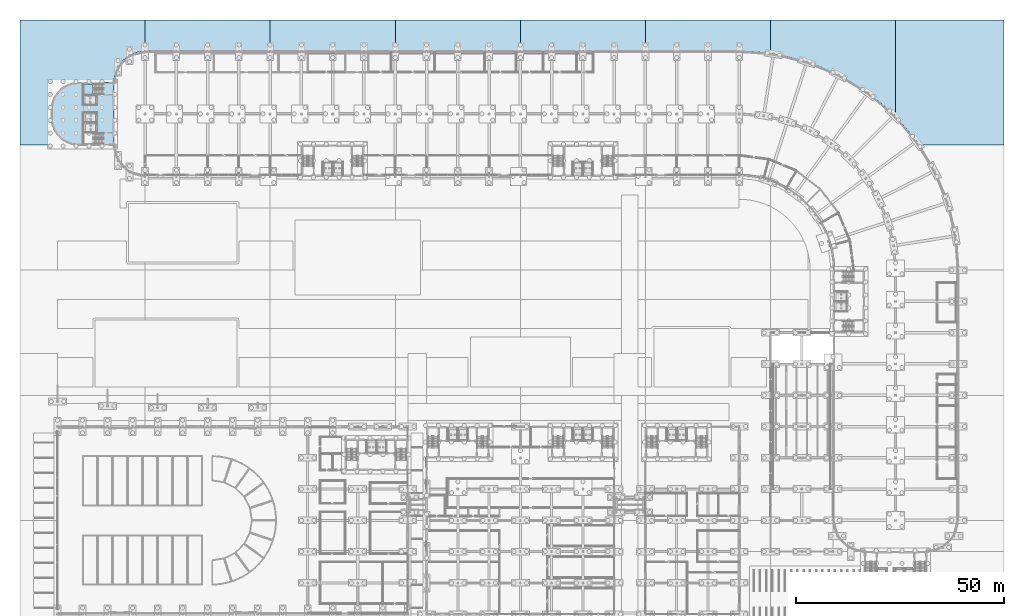
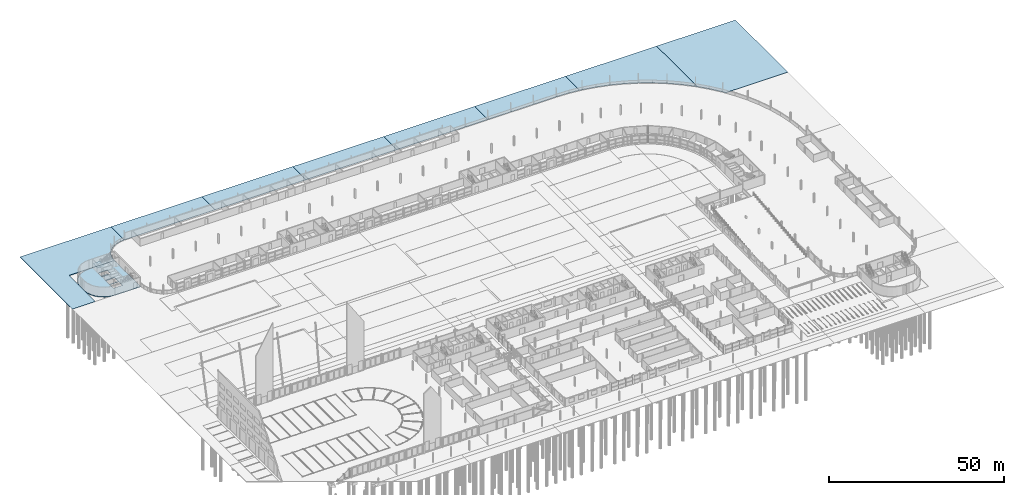
# One storey, part 75 of 130: 11 slabs, 1 element without a shape of its own.
"""IFC4 building model written with IfcOpenShell, lengths in metres."""

from ifc_helpers import new_model, si_unit, direction, frame, origin, place, context, subcontext, project, spatial, polyline, outline, extrude, material, layer, layer_set, type_object, element, aggregate, save


model = new_model("IFC4")

# Units and contexts
model_context = context("Model", 3, precision=1e-05, world=origin(), true_north=direction((0.0, 1.0)))
body_context = subcontext(model_context, "Body", "Model", "MODEL_VIEW")
ifc_project = project(units=[si_unit("LENGTHUNIT", "METRE"), si_unit("AREAUNIT", "SQUARE_METRE"), si_unit("VOLUMEUNIT", "CUBIC_METRE"), si_unit("PLANEANGLEUNIT", "RADIAN"), si_unit("MASSUNIT", "GRAM", prefix="KILO")], contexts=[model_context])

# Site, building, storey
site_placement = place(None, origin())
site = spatial("IfcSite", under=ifc_project, at=site_placement, CompositionType="ELEMENT")
building_placement = place(site_placement, origin())
building = spatial("IfcBuilding", under=site, at=building_placement, Name="Parallax Yard Mobility Hub", CompositionType="ELEMENT")
storey_placement = place(building_placement, origin())
storey = spatial("IfcBuildingStorey", under=building, at=storey_placement, Name="L00", CompositionType="ELEMENT", Elevation=0.0)

# Slab
ifc_material_1 = material(Name="Concrete fc' 28 MPa", Category="concrete")
ifc_layer_1 = layer(ifc_material_1, 0.199951171875)
ifc_layer_set_1 = layer_set([ifc_layer_1], Name="Core ground slab 200")
slab_type_1 = type_object("IfcSlabType", Name="Core ground slab 200", PredefinedType="BASESLAB", material=ifc_layer_set_1)
slab_1_placement = place(storey_placement, frame((0.0, 0.0, -0.199951171875)))
element("IfcSlab", 1, at=slab_1_placement, inside=storey, type_object=slab_type_1, Name="Core C-W ground slab", PredefinedType="BASESLAB", context=body_context, shape_type="SweptSolid", body=[
    extrude(outline(polyline([(12.5537109375, 120.1630859375), (11.1796875, 120.643798828125), (9.947265625, 121.418212890625), (8.918212890625, 122.447265625), (8.143798828125, 123.6796875), (7.6630859375, 125.0537109375), (7.5, 126.5), (7.5, 128.5), (7.6630859375, 129.9462890625), (8.143798828125, 131.3203125), (8.918212890625, 132.552734375), (9.947265625, 133.581787109375), (11.1796875, 134.356201171875), (12.5537109375, 134.8369140625), (14.0, 135.0), (22.5, 135.0), (22.5, 120.0), (14.0, 120.0), (12.5537109375, 120.1630859375)]), holes=[polyline([(18.300048828125, 123.10009765625), (18.300048828125, 125.300048828125), (15.300048828125, 125.300048828125), (15.300048828125, 123.10009765625), (18.300048828125, 123.10009765625)]), polyline([(15.300048828125, 125.5), (18.300048828125, 125.5), (18.300048828125, 127.699951171875), (15.300048828125, 127.699951171875), (15.300048828125, 125.5)]), polyline([(15.300048828125, 131.89990234375), (15.300048828125, 129.699951171875), (18.300048828125, 129.699951171875), (18.300048828125, 131.89990234375), (15.300048828125, 131.89990234375)])]), origin(), (0.0, 0.0, 1.0), 0.199951171875),
])

# Stair, slab
ifc_material_2 = material(Name="Concrete fc' 35 MPa", Category="concrete")
stair_type = type_object("IfcStairType", Name="Exit stair 1200 dog-leg", PredefinedType="HALF_TURN_STAIR", material=ifc_material_2)
stair_placement = place(storey_placement, origin())
stair = element("IfcStair", 2, at=stair_placement, inside=storey, type_object=stair_type, Name="L00 Exit stair 2 of core C-W", PredefinedType="HALF_TURN_STAIR")
ifc_layer_2 = layer(ifc_material_2, 0.199951171875)
ifc_layer_set_2 = layer_set([ifc_layer_2], Name="Exit stair landing 200")
slab_type_2 = type_object("IfcSlabType", Name="Exit stair landing 200", PredefinedType="LANDING", material=ifc_layer_set_2)
slab_2_placement = place(storey_placement, frame((0.0, 0.0, 1.449951171875)))
slab_2 = element("IfcSlab", 3, at=slab_2_placement, type_object=slab_type_2, Name="ST2 landing 1", PredefinedType="LANDING", context=body_context, shape_type="SweptSolid", body=[
    extrude(outline(polyline([(17.534912109375, 134.699951171875), (15.300048828125, 134.699951171875), (15.300048828125, 132.14990234375), (17.534912109375, 132.14990234375), (17.534912109375, 134.699951171875)])), origin(), (0.0, 0.0, 1.0), 0.199951171875),
])
aggregate(stair, [slab_2])

# Slabs
ifc_layer_3 = layer(ifc_material_1, 0.300048828125)
ifc_layer_set_3 = layer_set([ifc_layer_3], Name="Lift pit slab 300")
slab_type_3 = type_object("IfcSlabType", Name="Lift pit slab 300", PredefinedType="BASESLAB", material=ifc_layer_set_3)
slab_3_placement = place(storey_placement, frame((0.0, 0.0, -1.800048828125)))
element("IfcSlab", 4, at=slab_3_placement, inside=storey, type_object=slab_type_3, Name="Core C-W lift pit slab (shaft group 2)", PredefinedType="BASESLAB", context=body_context, shape_type="SweptSolid", body=[
    extrude(outline(polyline([(18.5, 129.5), (18.5, 132.10009765625), (15.10009765625, 132.10009765625), (15.10009765625, 129.5), (18.5, 129.5)])), origin(), (0.0, 0.0, 1.0), 0.300048828125),
])
ifc_layer_4 = layer(ifc_material_1, 0.14990234375)
ifc_layer_set_4 = layer_set([ifc_layer_4], Name="Public yard paving 150")
slab_type_4 = type_object("IfcSlabType", Name="Public yard paving 150", PredefinedType="FLOOR", material=ifc_layer_set_4)
slab_4_placement = place(storey_placement, frame((0.0, 0.0, -0.14990234375)))
element("IfcSlab", 5, at=slab_4_placement, inside=storey, type_object=slab_type_4, Name="Public yard paving panel 4", PredefinedType="FLOOR", context=body_context, shape_type="SweptSolid", body=[
    extrude(outline(polyline([(30.0, 150.0), (30.0, 142.5009765625), (30.0, 142.5009765625), (28.53662109375, 142.35693359375), (28.53662109375, 142.35693359375), (28.53662109375, 142.35693359375), (27.129638671875, 141.93017578125), (27.12939453125, 141.929931640625), (27.12939453125, 141.929931640625), (25.832763671875, 141.23681640625), (25.83251953125, 141.23681640625), (25.83251953125, 141.23681640625), (24.696044921875, 140.30419921875), (24.696044921875, 140.303955078125), (24.69580078125, 140.303955078125), (23.76318359375, 139.16748046875), (23.76318359375, 139.16748046875), (23.76318359375, 139.167236328125), (23.070068359375, 137.87060546875), (23.070068359375, 137.87060546875), (23.06982421875, 137.870361328125), (22.64306640625, 136.46337890625), (22.64306640625, 136.46337890625), (22.64306640625, 136.46337890625), (22.4990234375, 135.0), (22.4990234375, 135.0), (7.5, 135.0), (7.5, 120.0), (0.0, 120.0), (0.0, 150.0), (30.0, 150.0)])), origin(), (0.0, 0.0, 1.0), 0.14990234375),
])
slab_5_placement = place(storey_placement, frame((0.0, 0.0, -0.14990234375)))
element("IfcSlab", 6, at=slab_5_placement, inside=storey, type_object=slab_type_4, Name="Public yard paving panel 8", PredefinedType="FLOOR", context=body_context, shape_type="SweptSolid", body=[
    extrude(outline(polyline([(60.0, 150.0), (60.0, 142.5009765625), (30.0, 142.5009765625), (30.0, 150.0), (60.0, 150.0)])), origin(), (0.0, 0.0, 1.0), 0.14990234375),
])
slab_6_placement = place(storey_placement, frame((0.0, 0.0, -0.14990234375)))
element("IfcSlab", 7, at=slab_6_placement, inside=storey, type_object=slab_type_4, Name="Public yard paving panel 12", PredefinedType="FLOOR", context=body_context, shape_type="SweptSolid", body=[
    extrude(outline(polyline([(90.0, 150.0), (90.0, 142.5), (65.0009765625, 142.5), (65.0009765625, 142.5), (65.0009765625, 142.500244140625), (65.0009765625, 142.500244140625), (65.0009765625, 142.50048828125), (65.0009765625, 142.50048828125), (65.000732421875, 142.50048828125), (65.000732421875, 142.50048828125), (65.000732421875, 142.500732421875), (65.00048828125, 142.500732421875), (65.00048828125, 142.500732421875), (65.00048828125, 142.5009765625), (65.00048828125, 142.5009765625), (65.000244140625, 142.5009765625), (65.000244140625, 142.5009765625), (65.0, 142.5009765625), (65.0, 142.5009765625), (60.0, 142.5009765625), (60.0, 150.0), (90.0, 150.0)])), origin(), (0.0, 0.0, 1.0), 0.14990234375),
])
slab_7_placement = place(storey_placement, frame((0.0, 0.0, -0.14990234375)))
element("IfcSlab", 8, at=slab_7_placement, inside=storey, type_object=slab_type_4, Name="Public yard paving panel 17", PredefinedType="FLOOR", context=body_context, shape_type="SweptSolid", body=[
    extrude(outline(polyline([(120.0, 150.0), (120.0, 142.5), (90.0, 142.5), (90.0, 150.0), (120.0, 150.0)])), origin(), (0.0, 0.0, 1.0), 0.14990234375),
])
slab_8_placement = place(storey_placement, frame((0.0, 0.0, -0.14990234375)))
element("IfcSlab", 9, at=slab_8_placement, inside=storey, type_object=slab_type_4, Name="Public yard paving panel 21", PredefinedType="FLOOR", context=body_context, shape_type="SweptSolid", body=[
    extrude(outline(polyline([(150.0, 150.0), (150.0, 142.5009765625), (125.0, 142.5009765625), (125.0, 142.5009765625), (124.999755859375, 142.5009765625), (124.999755859375, 142.5009765625), (124.99951171875, 142.5009765625), (124.99951171875, 142.5009765625), (124.99951171875, 142.500732421875), (124.99951171875, 142.500732421875), (124.999267578125, 142.500732421875), (124.999267578125, 142.50048828125), (124.999267578125, 142.50048828125), (124.9990234375, 142.50048828125), (124.9990234375, 142.50048828125), (124.9990234375, 142.500244140625), (124.9990234375, 142.500244140625), (124.9990234375, 142.5), (124.9990234375, 142.5), (120.0, 142.5), (120.0, 150.0), (150.0, 150.0)])), origin(), (0.0, 0.0, 1.0), 0.14990234375),
])
slab_9_placement = place(storey_placement, frame((0.0, 0.0, -0.14990234375)))
element("IfcSlab", 10, at=slab_9_placement, inside=storey, type_object=slab_type_4, Name="Public yard paving panel 26", PredefinedType="FLOOR", context=body_context, shape_type="SweptSolid", body=[
    extrude(outline(polyline([(180.0, 150.0), (180.0, 141.961181640625), (179.971435546875, 141.965576171875), (179.88623046875, 141.9765625), (179.843994140625, 141.983154296875), (179.843994140625, 141.983154296875), (179.029541015625, 142.08837890625), (179.029541015625, 142.08837890625), (178.802978515625, 142.11669921875), (178.484619140625, 142.15771484375), (178.42431640625, 142.163818359375), (178.382080078125, 142.169189453125), (178.382080078125, 142.169189453125), (177.54248046875, 142.25341796875), (177.54248046875, 142.25341796875), (177.26220703125, 142.280517578125), (176.99267578125, 142.307373046875), (176.9541015625, 142.310302734375), (176.91552734375, 142.31396484375), (176.91552734375, 142.31396484375), (176.032470703125, 142.377197265625), (176.032470703125, 142.377197265625), (175.630615234375, 142.40478515625), (175.497314453125, 142.414306640625), (175.484375, 142.414794921875), (175.44580078125, 142.41748046875), (175.445556640625, 142.41748046875), (174.46337890625, 142.459716796875), (174.46337890625, 142.459716796875), (173.973388671875, 142.47998046875), (173.973388671875, 142.47998046875), (172.5, 142.5009765625), (172.5, 142.5009765625), (150.0, 142.5009765625), (150.0, 150.0), (180.0, 150.0)])), origin(), (0.0, 0.0, 1.0), 0.14990234375),
])
slab_10_placement = place(storey_placement, frame((0.0, 0.0, -0.14990234375)))
element("IfcSlab", 11, at=slab_10_placement, inside=storey, type_object=slab_type_4, Name="Public yard paving panel 30", PredefinedType="FLOOR", context=body_context, shape_type="SweptSolid", body=[
    extrude(outline(polyline([(210.0, 150.0), (210.0, 126.739990234375), (209.09912109375, 127.64111328125), (209.09912109375, 127.64111328125), (208.831787109375, 127.893798828125), (208.028076171875, 128.653076171875), (208.028076171875, 128.653076171875), (208.0009765625, 128.67724609375), (207.999267578125, 128.678955078125), (207.9765625, 128.69921875), (207.6171875, 129.02099609375), (207.6171875, 129.02099609375), (206.928955078125, 129.634521484375), (206.928955078125, 129.634765625), (206.900146484375, 129.6591796875), (206.880126953125, 129.677001953125), (206.709716796875, 129.820556640625), (206.46142578125, 130.030517578125), (206.46142578125, 130.030517578125), (205.802734375, 130.585205078125), (205.802734375, 130.585205078125), (205.771240234375, 130.6103515625), (205.733154296875, 130.642333984375), (205.50048828125, 130.827392578125), (205.30126953125, 130.98681640625), (205.30126953125, 130.98681640625), (204.650390625, 131.503662109375), (204.650390625, 131.503662109375), (204.61767578125, 131.5283203125), (204.55908203125, 131.574951171875), (204.281982421875, 131.7822265625), (204.123779296875, 131.902099609375), (204.123779296875, 131.902099609375), (203.47265625, 132.389404296875), (203.47265625, 132.389404296875), (203.4365234375, 132.4150390625), (203.358642578125, 132.473388671875), (203.0546875, 132.687744140625), (202.92578125, 132.77978515625), (202.92578125, 132.77978515625), (202.2705078125, 133.24169921875), (202.2705078125, 133.24169921875), (202.232666015625, 133.26708984375), (202.13330078125, 133.33740234375), (201.82421875, 133.542236328125), (201.706298828125, 133.62158203125), (201.706298828125, 133.62158203125), (201.044677734375, 134.060302734375), (201.044677734375, 134.060302734375), (201.004150390625, 134.0859375), (200.883544921875, 134.165771484375), (200.571533203125, 134.360107421875), (200.465576171875, 134.42724609375), (200.465576171875, 134.42724609375), (199.79638671875, 134.843994140625), (199.79638671875, 134.843994140625), (199.75146484375, 134.870849609375), (199.61083984375, 134.958251953125), (199.30029296875, 135.1396484375), (199.20361328125, 135.197265625), (199.20361328125, 135.197265625), (198.748046875, 135.463134765625), (198.526611328125, 135.592529296875), (198.526611328125, 135.592529296875), (198.478515625, 135.619140625), (198.31591796875, 135.714111328125), (198.0068359375, 135.883056640625), (197.921630859375, 135.9306640625), (197.921630859375, 135.9306640625), (197.236083984375, 136.304931640625), (197.236083984375, 136.304931640625), (197.187744140625, 136.330078125), (197.0, 136.4326171875), (196.698974609375, 136.586181640625), (196.6201171875, 136.62744140625), (196.6201171875, 136.62744140625), (195.926025390625, 136.981201171875), (195.92578125, 136.981201171875), (195.873046875, 137.0068359375), (195.6640625, 137.11328125), (195.37353515625, 137.251220703125), (195.300048828125, 137.287109375), (195.300048828125, 137.287109375), (194.59716796875, 137.620361328125), (194.59716796875, 137.620361328125), (194.537841796875, 137.647216796875), (194.309326171875, 137.755615234375), (194.031005859375, 137.8779296875), (193.96240234375, 137.9091796875), (193.96240234375, 137.9091796875), (193.2509765625, 138.221923828125), (193.2509765625, 138.221923828125), (193.188720703125, 138.248291015625), (192.936767578125, 138.35888671875), (192.67041015625, 138.467041015625), (192.60791015625, 138.493408203125), (192.60791015625, 138.493408203125), (191.88818359375, 138.78564453125), (191.88818359375, 138.78564453125), (191.821533203125, 138.8115234375), (191.54736328125, 138.9228515625), (191.301025390625, 139.0146484375), (191.238037109375, 139.039306640625), (191.238037109375, 139.039306640625), (190.509521484375, 139.310791015625), (190.509521484375, 139.310791015625), (190.437744140625, 139.336669921875), (190.142578125, 139.44677734375), (189.91259765625, 139.525146484375), (189.853515625, 139.54638671875), (189.853515625, 139.54638671875), (189.11669921875, 139.79736328125), (189.11669921875, 139.797607421875), (189.037109375, 139.823486328125), (188.723388671875, 139.930419921875), (188.509765625, 139.99658203125), (188.455322265625, 140.014404296875), (188.455322265625, 140.014404296875), (187.710205078125, 140.244873046875), (187.710205078125, 140.244873046875), (187.6171875, 140.2724609375), (187.291015625, 140.373291015625), (187.097412109375, 140.42724609375), (187.044921875, 140.44287109375), (187.044921875, 140.44287109375), (186.291015625, 140.652587890625), (186.291015625, 140.652587890625), (186.1865234375, 140.6806640625), (185.846435546875, 140.775146484375), (185.6728515625, 140.818115234375), (185.623046875, 140.83154296875), (185.622802734375, 140.83154296875), (184.85986328125, 141.0205078125), (184.85986328125, 141.0205078125), (184.744140625, 141.048095703125), (184.39111328125, 141.135498046875), (184.23779296875, 141.1689453125), (184.19091796875, 141.18017578125), (184.19091796875, 141.18017578125), (183.41796875, 141.348388671875), (183.41796875, 141.348388671875), (183.283203125, 141.376708984375), (182.926025390625, 141.454345703125), (182.79541015625, 141.47900390625), (182.74951171875, 141.488525390625), (182.74951171875, 141.488525390625), (181.9658203125, 141.6357421875), (181.9658203125, 141.6357421875), (181.816650390625, 141.66259765625), (181.452392578125, 141.731201171875), (181.3447265625, 141.748046875), (181.30029296875, 141.756103515625), (181.30029296875, 141.756103515625), (180.503173828125, 141.882568359375), (180.503173828125, 141.882568359375), (180.318359375, 141.91064453125), (180.0, 141.961181640625), (180.0, 150.0), (210.0, 150.0)])), origin(), (0.0, 0.0, 1.0), 0.14990234375),
])
slab_11_placement = place(storey_placement, frame((0.0, 0.0, -0.14990234375)))
element("IfcSlab", 12, at=slab_11_placement, inside=storey, type_object=slab_type_4, Name="Public yard paving panel 35", PredefinedType="FLOOR", context=body_context, shape_type="SweptSolid", body=[
    extrude(outline(polyline([(236.0, 150.0), (236.0, 120.0), (215.579833984375, 120.0), (215.27978515625, 120.42578125), (215.27978515625, 120.42578125), (215.187744140625, 120.5546875), (214.973388671875, 120.858642578125), (214.9150390625, 120.9365234375), (214.889404296875, 120.97265625), (214.889404296875, 120.97265625), (214.402099609375, 121.623779296875), (214.402099609375, 121.623779296875), (214.2822265625, 121.781982421875), (214.074951171875, 122.05908203125), (214.0283203125, 122.11767578125), (214.003662109375, 122.150390625), (214.003662109375, 122.150390625), (213.48681640625, 122.80126953125), (213.48681640625, 122.80126953125), (213.327392578125, 123.00048828125), (213.142333984375, 123.233154296875), (213.1103515625, 123.271240234375), (213.085205078125, 123.302734375), (213.085205078125, 123.302734375), (212.530517578125, 123.96142578125), (212.530517578125, 123.96142578125), (212.320556640625, 124.209716796875), (212.177001953125, 124.380126953125), (212.1591796875, 124.400146484375), (212.134765625, 124.428955078125), (212.134521484375, 124.428955078125), (211.52099609375, 125.1171875), (211.52099609375, 125.1171875), (211.19921875, 125.4765625), (211.178955078125, 125.499267578125), (211.17724609375, 125.5009765625), (211.153076171875, 125.528076171875), (211.153076171875, 125.528076171875), (210.393798828125, 126.331787109375), (210.14111328125, 126.59912109375), (210.14111328125, 126.59912109375), (210.0, 126.739990234375), (210.0, 150.0), (236.0, 150.0)])), origin(), (0.0, 0.0, 1.0), 0.14990234375),
])

save(model, "model.ifc")
